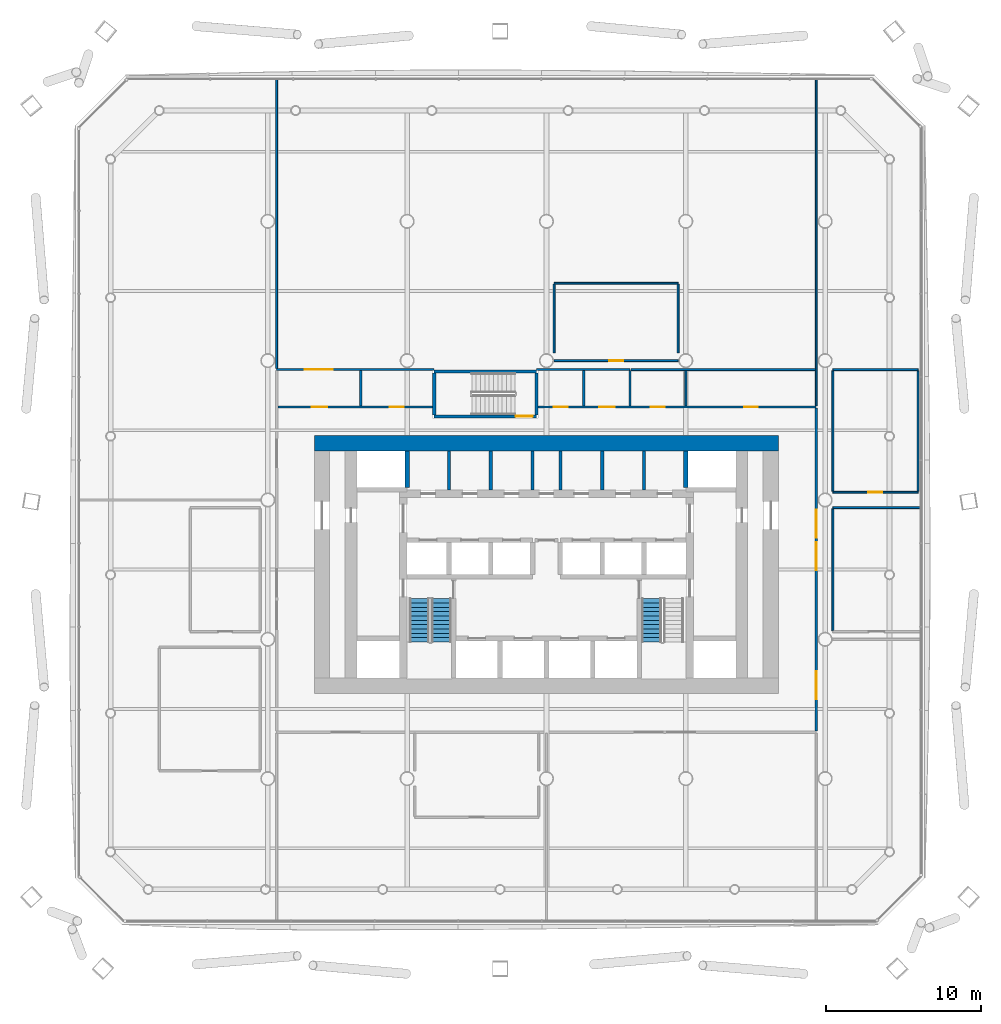
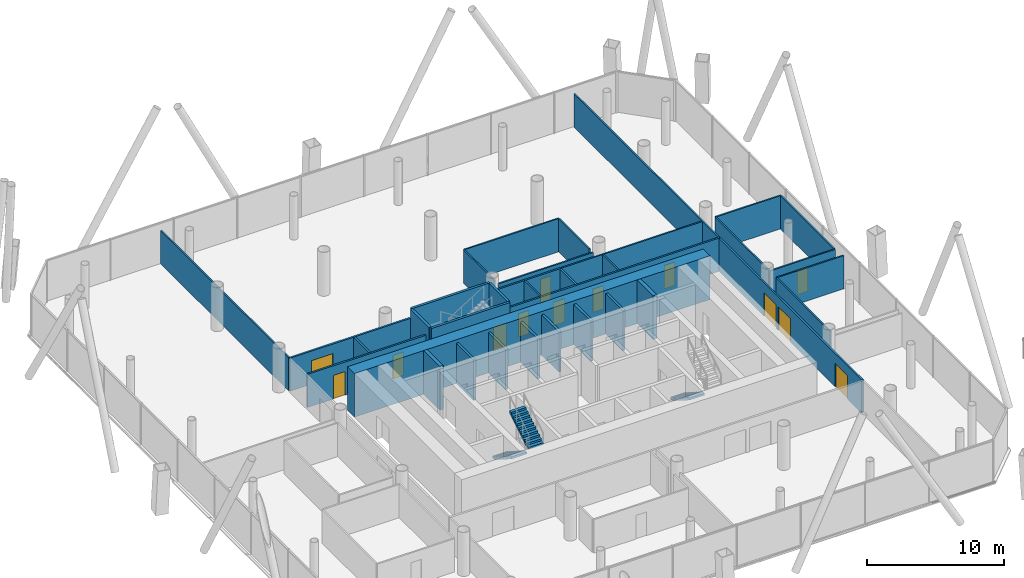
# One storey, part 19 of 25: 35 walls, 13 doors, 3 stair flights, 13 openings, 2 elements without a shape of their own.
"""IFC4 building model written with IfcOpenShell, lengths in metres."""

from ifc_helpers import new_model, si_unit, direction, frame, frame_2d, origin, place, context, subcontext, project, spatial, polyline, rectangle, outline, extrude, material, layer, layer_set, type_object, element, fill, aggregate, save


model = new_model("IFC4")

# Units and contexts
model_context = context("Model", 3, precision=1e-05, world=origin(), true_north=direction((0.0, 1.0)))
body_context = subcontext(model_context, "Body", "Model", "MODEL_VIEW")
ifc_project = project(units=[si_unit("LENGTHUNIT", "METRE"), si_unit("AREAUNIT", "SQUARE_METRE"), si_unit("VOLUMEUNIT", "CUBIC_METRE"), si_unit("PLANEANGLEUNIT", "RADIAN"), si_unit("MASSUNIT", "GRAM", prefix="KILO")], contexts=[model_context])

# Site, building, storey
site_placement = place(None, origin())
site = spatial("IfcSite", under=ifc_project, at=site_placement, CompositionType="ELEMENT")
building_placement = place(site_placement, origin())
building = spatial("IfcBuilding", under=site, at=building_placement, Name="Tskaro Facet Tower", CompositionType="ELEMENT")
storey_placement = place(building_placement, frame((0.0, 0.0, 22.5)))
storey = spatial("IfcBuildingStorey", under=building, at=storey_placement, Name="L04", CompositionType="ELEMENT", Elevation=22.5)

# Walls
ifc_material_1 = material(Name="Concrete C60/75", Category="concrete")
ifc_layer_1 = layer(ifc_material_1, 0.300048828125, Name="Concrete C60/75")
ifc_layer_set_1 = layer_set([ifc_layer_1], Name="Concrete C60/75")
wall_type_1 = type_object("IfcWallType", Name="CORE-SHAFT", PredefinedType="SHEAR", material=ifc_layer_set_1)
for number, where, z_axis, x_axis, name in (
    (1, (-9.0, 0.800048828125, 0.0), (0.0, 0.0, 1.0), (0.0, 1.0, 0.0), "Shaft wall W040"),
    (2, (9.0, 0.800048828125, 0.0), (0.0, 0.0, 1.0), (0.0, 1.0, 0.0), "Shaft wall W070"),
):
    element("IfcWall", number, at=place(storey_placement, frame(where, z_axis=z_axis, x_axis=x_axis)), inside=storey, type_object=wall_type_1, Name=name, PredefinedType="SHEAR", context=body_context, shape_type="SweptSolid", body=[
        extrude(rectangle(XDim=2.349853515625, YDim=0.300048828125, at=frame_2d((1.1748046875, 0.0))), origin(), (0.0, 0.0, 1.0), 3.89990234375),
    ])
ifc_material_2 = material(Name="Concrete C20/25", Category="concrete")
ifc_layer_2 = layer(ifc_material_2, 0.199951171875, Name="Concrete C20/25")
ifc_layer_set_2 = layer_set([ifc_layer_2], Name="Concrete C20/25")
wall_type_2 = type_object("IfcWallType", Name="CORE-WALL", PredefinedType="SOLIDWALL", material=ifc_layer_set_2)
for number, where, z_axis, x_axis, name in (
    (3, (-6.300048828125, 0.64990234375, 0.0), (0.0, 0.0, 1.0), (0.0, 1.0, 0.0), "Core room wall W045"),
    (4, (-3.60009765625, 0.64990234375, 0.0), (0.0, 0.0, 1.0), (0.0, 1.0, 0.0), "Core room wall W048"),
    (5, (-0.89990234375, 0.64990234375, 0.0), (0.0, 0.0, 1.0), (0.0, 1.0, 0.0), "Core room wall W051"),
    (6, (0.89990234375, 0.64990234375, 0.0), (0.0, 0.0, 1.0), (0.0, 1.0, 0.0), "Core room wall W060"),
    (7, (3.60009765625, 0.64990234375, 0.0), (0.0, 0.0, 1.0), (0.0, 1.0, 0.0), "Core room wall W064"),
    (8, (6.300048828125, 0.64990234375, 0.0), (0.0, 0.0, 1.0), (0.0, 1.0, 0.0), "Core room wall W068"),
):
    element("IfcWall", number, at=place(storey_placement, frame(where, z_axis=z_axis, x_axis=x_axis)), inside=storey, type_object=wall_type_2, Name=name, PredefinedType="SOLIDWALL", context=body_context, shape_type="SweptSolid", body=[
        extrude(rectangle(XDim=2.5, YDim=0.199951171875, at=frame_2d((1.25, 0.0))), origin(), (0.0, 0.0, 1.0), 3.60009765625),
    ])
ifc_layer_3 = layer(ifc_material_1, 1.0, Name="Concrete C60/75")
ifc_layer_set_3 = layer_set([ifc_layer_3], Name="Concrete C60/75")
wall_type_3 = type_object("IfcWallType", Name="Core wall 1000", PredefinedType="SHEAR", material=ifc_layer_set_3)
wall_1_placement = place(storey_placement, frame((-15.0, 3.64990234375, 0.0), z_axis=(0.0, 0.0, 1.0), x_axis=(1.0, 0.0, 0.0)))
element("IfcWall", 9, at=wall_1_placement, inside=storey, type_object=wall_type_3, Name="Core wall CW-Z1N", PredefinedType="SHEAR", context=body_context, shape_type="SweptSolid", body=[
    extrude(rectangle(XDim=30.0, YDim=1.0, at=frame_2d((15.0, 0.0))), origin(), (0.0, 0.0, 1.0), 3.89990234375),
])
ifc_material_3 = material(Name="Gypsum board on steel studs", Category="steel")
ifc_layer_4 = layer(ifc_material_3, 0.125, Name="Gypsum board on steel studs")
ifc_layer_set_4 = layer_set([ifc_layer_4], Name="Gypsum board on steel studs")
wall_type_4 = type_object("IfcWallType", Name="PART", PredefinedType="PARTITIONING", material=ifc_layer_set_4)
wall_2_placement = place(storey_placement, frame((18.5, -0.5, 0.0), z_axis=(0.0, 0.0, 1.0), x_axis=(1.0, 0.0, 0.0)))
element("IfcWall", 10, at=wall_2_placement, inside=storey, type_object=wall_type_4, Name="Partition W017", PredefinedType="PARTITIONING", context=body_context, shape_type="SweptSolid", body=[
    extrude(rectangle(XDim=5.652099609375, YDim=0.125, at=frame_2d((2.826171875, 0.0))), origin(), (0.0, 0.0, 1.0), 2.9599609375),
])

# Wall, opening, door
wall_3_placement = place(storey_placement, frame((18.5, 0.5, 0.0), z_axis=(0.0, 0.0, 1.0), x_axis=(1.0, 0.0, 0.0)))
wall_3 = element("IfcWall", 11, at=wall_3_placement, inside=storey, type_object=wall_type_4, Name="Partition W019", PredefinedType="PARTITIONING", context=body_context, shape_type="SweptSolid", body=[
    extrude(rectangle(XDim=5.5, YDim=0.125, at=frame_2d((2.75, 0.0))), origin(), (0.0, 0.0, 1.0), 2.9599609375),
])
opening_1_placement = place(wall_3_placement, frame((2.300048828125, 0.0, 0.0)))
opening_1 = element("IfcOpeningElement", 12, at=opening_1_placement, cuts=wall_3, Name="Opening T1-D28", PredefinedType="OPENING", context=body_context, shape_type="SweptSolid", body=[
    extrude(rectangle(XDim=0.89990234375, YDim=2.10009765625, at=frame_2d((0.449951171875, 1.050048828125))), frame((0.0, 0.072509765625, 0.0), z_axis=(0.0, -1.0, 0.0), x_axis=(1.0, 0.0, 0.0)), (0.0, 0.0, 1.0), 0.14501953125),
])
ifc_material_4 = material(Name="Timber", Category="wood")
door_type_1 = type_object("IfcDoorType", Name="D-ROOM", OperationType="NOTDEFINED", PredefinedType="DOOR", material=ifc_material_4)
door_1_placement = place(opening_1_placement, origin())
door_1 = element("IfcDoor", 13, at=door_1_placement, inside=storey, type_object=door_type_1, Name="Door T1-D28", OperationType="SINGLE_SWING_LEFT", OverallHeight=2.10009765625, OverallWidth=0.89990234375, PredefinedType="DOOR", context=body_context, shape_type="SweptSolid", body=[
    extrude(rectangle(XDim=0.89990234375, YDim=2.10009765625, at=frame_2d((0.449951171875, 1.050048828125))), frame((0.0, 0.02490234375, 0.0), z_axis=(0.0, -1.0, 0.0), x_axis=(1.0, 0.0, 0.0)), (0.0, 0.0, 1.0), 0.050048828125),
])
fill(opening_1, door_1)

# Walls
wall_4_placement = place(storey_placement, frame((5.47509765625, 8.425048828125, 0.0), z_axis=(0.0, 0.0, 1.0), x_axis=(1.0, 0.0, 0.0)))
element("IfcWall", 14, at=wall_4_placement, inside=storey, type_object=wall_type_4, Name="Partition W028", PredefinedType="PARTITIONING", context=body_context, shape_type="SweptSolid", body=[
    extrude(rectangle(XDim=11.887451171875, YDim=0.125, at=frame_2d((5.94384765625, 0.0))), origin(), (0.0, 0.0, 1.0), 2.9599609375),
])
wall_5_placement = place(storey_placement, frame((18.5, 8.425048828125, 0.0), z_axis=(0.0, 0.0, 1.0), x_axis=(1.0, 0.0, 0.0)))
element("IfcWall", 15, at=wall_5_placement, inside=storey, type_object=wall_type_4, Name="Partition W029", PredefinedType="PARTITIONING", context=body_context, shape_type="SweptSolid", body=[
    extrude(rectangle(XDim=5.5, YDim=0.125, at=frame_2d((2.75, 0.0))), origin(), (0.0, 0.0, 1.0), 2.9599609375),
])

# Wall, opening, door
wall_6_placement = place(storey_placement, frame((0.5, 9.0, 0.0), z_axis=(0.0, 0.0, 1.0), x_axis=(1.0, 0.0, 0.0)))
wall_6 = element("IfcWall", 16, at=wall_6_placement, inside=storey, type_object=wall_type_4, Name="Partition W030", PredefinedType="PARTITIONING", context=body_context, shape_type="SweptSolid", body=[
    extrude(rectangle(XDim=8.0, YDim=0.125, at=frame_2d((4.0, 0.0))), origin(), (0.0, 0.0, 1.0), 2.9599609375),
])
opening_2_placement = place(wall_6_placement, frame((3.550048828125, 0.0, 0.0)))
opening_2 = element("IfcOpeningElement", 17, at=opening_2_placement, cuts=wall_6, Name="Opening T1-D39", PredefinedType="OPENING", context=body_context, shape_type="SweptSolid", body=[
    extrude(rectangle(XDim=0.89990234375, YDim=2.10009765625, at=frame_2d((0.449951171875, 1.050048828125))), frame((0.0, 0.072509765625, 0.0), z_axis=(0.0, -1.0, 0.0), x_axis=(1.0, 0.0, 0.0)), (0.0, 0.0, 1.0), 0.14501953125),
])
door_2_placement = place(opening_2_placement, origin())
door_2 = element("IfcDoor", 18, at=door_2_placement, inside=storey, type_object=door_type_1, Name="Door T1-D39", OperationType="SINGLE_SWING_LEFT", OverallHeight=2.10009765625, OverallWidth=0.89990234375, PredefinedType="DOOR", context=body_context, shape_type="SweptSolid", body=[
    extrude(rectangle(XDim=0.89990234375, YDim=2.10009765625, at=frame_2d((0.449951171875, 1.050048828125))), frame((0.0, 0.02490234375, 0.0), z_axis=(0.0, -1.0, 0.0), x_axis=(1.0, 0.0, 0.0)), (0.0, 0.0, 1.0), 0.050048828125),
])
fill(opening_2, door_2)

# Walls
wall_7_placement = place(storey_placement, frame((0.5, 14.0, 0.0), z_axis=(0.0, 0.0, 1.0), x_axis=(1.0, 0.0, 0.0)))
element("IfcWall", 19, at=wall_7_placement, inside=storey, type_object=wall_type_4, Name="Partition W031", PredefinedType="PARTITIONING", context=body_context, shape_type="SweptSolid", body=[
    extrude(rectangle(XDim=8.0, YDim=0.125, at=frame_2d((4.0, 0.0))), origin(), (0.0, 0.0, 1.0), 2.9599609375),
])
wall_8_placement = place(storey_placement, frame((-17.425048828125, 8.5, 0.0), z_axis=(0.0, 0.0, 1.0), x_axis=(0.0, 1.0, 0.0)))
element("IfcWall", 20, at=wall_8_placement, inside=storey, type_object=wall_type_4, Name="Partition W038", PredefinedType="PARTITIONING", context=body_context, shape_type="SweptSolid", body=[
    extrude(rectangle(XDim=18.652099609375, YDim=0.125, at=frame_2d((9.326171875, 0.0))), origin(), (0.0, 0.0, 1.0), 2.9599609375),
])
for number, where, z_axis, x_axis, name in (
    (21, (0.5, 9.5, 0.0), (0.0, 0.0, 1.0), (0.0, 1.0, 0.0), "Partition W058"),
    (22, (8.5, 9.5, 0.0), (0.0, 0.0, 1.0), (0.0, 1.0, 0.0), "Partition W069"),
):
    element("IfcWall", number, at=place(storey_placement, frame(where, z_axis=z_axis, x_axis=x_axis)), inside=storey, type_object=wall_type_4, Name=name, PredefinedType="PARTITIONING", context=body_context, shape_type="SweptSolid", body=[
        extrude(rectangle(XDim=4.4375, YDim=0.125, at=frame_2d((2.21875, 0.0))), origin(), (0.0, 0.0, 1.0), 2.9599609375),
    ])
wall_9_placement = place(storey_placement, frame((9.0, 6.074951171875, 0.0), z_axis=(0.0, 0.0, 1.0), x_axis=(0.0, 1.0, 0.0)))
element("IfcWall", 23, at=wall_9_placement, inside=storey, type_object=wall_type_4, Name="Partition W071", PredefinedType="PARTITIONING", context=body_context, shape_type="SweptSolid", body=[
    extrude(rectangle(XDim=2.28759765625, YDim=0.125, at=frame_2d((1.143798828125, 0.0))), origin(), (0.0, 0.0, 1.0), 2.9599609375),
])
wall_10_placement = place(storey_placement, frame((17.425048828125, 6.074951171875, 0.0), z_axis=(0.0, 0.0, 1.0), x_axis=(0.0, 1.0, 0.0)))
element("IfcWall", 24, at=wall_10_placement, inside=storey, type_object=wall_type_4, Name="Partition W074", PredefinedType="PARTITIONING", context=body_context, shape_type="SweptSolid", body=[
    extrude(rectangle(XDim=21.0771484375, YDim=0.125, at=frame_2d((10.53857421875, 0.0))), origin(), (0.0, 0.0, 1.0), 2.9599609375),
])
wall_11_placement = place(storey_placement, frame((18.5, -8.4375, 0.0), z_axis=(0.0, 0.0, 1.0), x_axis=(0.0, 1.0, 0.0)))
element("IfcWall", 25, at=wall_11_placement, inside=storey, type_object=wall_type_4, Name="Partition W075", PredefinedType="PARTITIONING", context=body_context, shape_type="SweptSolid", body=[
    extrude(rectangle(XDim=7.875, YDim=0.125, at=frame_2d((3.9375, 0.0))), origin(), (0.0, 0.0, 1.0), 2.9599609375),
])
for number, where, z_axis, x_axis, name in (
    (26, (18.5, 0.5625, 0.0), (0.0, 0.0, 1.0), (0.0, 1.0, 0.0), "Partition W076"),
    (27, (24.0, 0.5625, 0.0), (0.0, 0.0, 1.0), (0.0, 1.0, 0.0), "Partition W077"),
):
    element("IfcWall", number, at=place(storey_placement, frame(where, z_axis=z_axis, x_axis=x_axis)), inside=storey, type_object=wall_type_4, Name=name, PredefinedType="PARTITIONING", context=body_context, shape_type="SweptSolid", body=[
        extrude(rectangle(XDim=7.800048828125, YDim=0.125, at=frame_2d((3.89990234375, 0.0))), origin(), (0.0, 0.0, 1.0), 2.9599609375),
    ])

# Wall, openings, doors
ifc_layer_5 = layer(ifc_material_3, 0.14990234375, Name="Gypsum board on steel studs")
ifc_layer_set_5 = layer_set([ifc_layer_5], Name="Gypsum board on steel studs")
wall_type_5 = type_object("IfcWallType", Name="PART-CORR", PredefinedType="PARTITIONING", material=ifc_layer_set_5)
wall_12_placement = place(storey_placement, frame((-7.35009765625, 6.0, 0.0), z_axis=(0.0, 0.0, 1.0), x_axis=(-1.0, 0.0, 0.0)))
wall_12 = element("IfcWall", 28, at=wall_12_placement, inside=storey, type_object=wall_type_5, Name="Corridor wall W023", PredefinedType="PARTITIONING", context=body_context, shape_type="SweptSolid", body=[
    extrude(rectangle(XDim=10.0, YDim=0.14990234375, at=frame_2d((5.0, 0.0))), origin(), (0.0, 0.0, 1.0), 2.9599609375),
])
opening_3_placement = place(wall_12_placement, frame((6.824951171875, 0.0, 0.0)))
opening_3 = element("IfcOpeningElement", 29, at=opening_3_placement, cuts=wall_12, Name="Opening T1-D32", PredefinedType="OPENING", context=body_context, shape_type="SweptSolid", body=[
    extrude(rectangle(XDim=1.0, YDim=2.10009765625, at=frame_2d((0.5, 1.050048828125))), frame((0.0, 0.0849609375, 0.0), z_axis=(0.0, -1.0, 0.0), x_axis=(1.0, 0.0, 0.0)), (0.0, 0.0, 1.0), 0.169921875),
])
opening_4_placement = place(wall_12_placement, frame((1.875, 0.0, 0.0)))
opening_4 = element("IfcOpeningElement", 30, at=opening_4_placement, cuts=wall_12, Name="Opening T1-D33", PredefinedType="OPENING", context=body_context, shape_type="SweptSolid", body=[
    extrude(rectangle(XDim=0.89990234375, YDim=2.10009765625, at=frame_2d((0.449951171875, 1.050048828125))), frame((0.0, 0.0849609375, 0.0), z_axis=(0.0, -1.0, 0.0), x_axis=(1.0, 0.0, 0.0)), (0.0, 0.0, 1.0), 0.169921875),
])
door_type_2 = type_object("IfcDoorType", Name="D-ENTRY", OperationType="NOTDEFINED", PredefinedType="DOOR", material=ifc_material_4)
door_3_placement = place(opening_3_placement, origin())
door_3 = element("IfcDoor", 31, at=door_3_placement, inside=storey, type_object=door_type_2, Name="Door T1-D32", OperationType="SINGLE_SWING_RIGHT", OverallHeight=2.10009765625, OverallWidth=1.0, PredefinedType="DOOR", context=body_context, shape_type="SweptSolid", body=[
    extrude(rectangle(XDim=1.0, YDim=2.10009765625, at=frame_2d((0.5, 1.050048828125))), frame((0.0, 0.02490234375, 0.0), z_axis=(0.0, -1.0, 0.0), x_axis=(1.0, 0.0, 0.0)), (0.0, 0.0, 1.0), 0.050048828125),
])
fill(opening_3, door_3)
door_4_placement = place(opening_4_placement, origin())
door_4 = element("IfcDoor", 32, at=door_4_placement, inside=storey, type_object=door_type_1, Name="Door T1-D33", OperationType="SINGLE_SWING_RIGHT", OverallHeight=2.10009765625, OverallWidth=0.89990234375, PredefinedType="DOOR", context=body_context, shape_type="SweptSolid", body=[
    extrude(rectangle(XDim=0.89990234375, YDim=2.10009765625, at=frame_2d((0.449951171875, 1.050048828125))), frame((0.0, 0.02490234375, 0.0), z_axis=(0.0, -1.0, 0.0), x_axis=(1.0, 0.0, 0.0)), (0.0, 0.0, 1.0), 0.050048828125),
])
fill(opening_4, door_4)

wall_13_placement = place(storey_placement, frame((-0.550048828125, 6.0, 0.0), z_axis=(0.0, 0.0, 1.0), x_axis=(1.0, 0.0, 0.0)))
wall_13 = element("IfcWall", 33, at=wall_13_placement, inside=storey, type_object=wall_type_5, Name="Corridor wall W024", PredefinedType="PARTITIONING", context=body_context, shape_type="SweptSolid", body=[
    extrude(rectangle(XDim=17.97509765625, YDim=0.14990234375, at=frame_2d((8.987548828125, 0.0))), origin(), (0.0, 0.0, 1.0), 2.9599609375),
])
opening_5_placement = place(wall_13_placement, frame((1.02490234375, 0.0, 0.0)))
opening_5 = element("IfcOpeningElement", 34, at=opening_5_placement, cuts=wall_13, Name="Opening T1-D34", PredefinedType="OPENING", context=body_context, shape_type="SweptSolid", body=[
    extrude(rectangle(XDim=0.89990234375, YDim=2.10009765625, at=frame_2d((0.449951171875, 1.050048828125))), frame((0.0, 0.0849609375, 0.0), z_axis=(0.0, -1.0, 0.0), x_axis=(1.0, 0.0, 0.0)), (0.0, 0.0, 1.0), 0.169921875),
])
opening_6_placement = place(wall_13_placement, frame((3.949951171875, 0.0, 0.0)))
opening_6 = element("IfcOpeningElement", 35, at=opening_6_placement, cuts=wall_13, Name="Opening T1-D35", PredefinedType="OPENING", context=body_context, shape_type="SweptSolid", body=[
    extrude(rectangle(XDim=1.0, YDim=2.10009765625, at=frame_2d((0.5, 1.050048828125))), frame((0.0, 0.0849609375, 0.0), z_axis=(0.0, -1.0, 0.0), x_axis=(1.0, 0.0, 0.0)), (0.0, 0.0, 1.0), 0.169921875),
])
opening_7_placement = place(wall_13_placement, frame((7.300048828125, 0.0, 0.0)))
opening_7 = element("IfcOpeningElement", 36, at=opening_7_placement, cuts=wall_13, Name="Opening T1-D36", PredefinedType="OPENING", context=body_context, shape_type="SweptSolid", body=[
    extrude(rectangle(XDim=0.89990234375, YDim=2.10009765625, at=frame_2d((0.449951171875, 1.050048828125))), frame((0.0, 0.0849609375, 0.0), z_axis=(0.0, -1.0, 0.0), x_axis=(1.0, 0.0, 0.0)), (0.0, 0.0, 1.0), 0.169921875),
])
opening_8_placement = place(wall_13_placement, frame((13.3125, 0.0, 0.0)))
opening_8 = element("IfcOpeningElement", 37, at=opening_8_placement, cuts=wall_13, Name="Opening T1-D37", PredefinedType="OPENING", context=body_context, shape_type="SweptSolid", body=[
    extrude(rectangle(XDim=0.89990234375, YDim=2.10009765625, at=frame_2d((0.449951171875, 1.050048828125))), frame((0.0, 0.0849609375, 0.0), z_axis=(0.0, -1.0, 0.0), x_axis=(1.0, 0.0, 0.0)), (0.0, 0.0, 1.0), 0.169921875),
])
door_5_placement = place(opening_5_placement, origin())
door_5 = element("IfcDoor", 38, at=door_5_placement, inside=storey, type_object=door_type_1, Name="Door T1-D34", OperationType="SINGLE_SWING_LEFT", OverallHeight=2.10009765625, OverallWidth=0.89990234375, PredefinedType="DOOR", context=body_context, shape_type="SweptSolid", body=[
    extrude(rectangle(XDim=0.89990234375, YDim=2.10009765625, at=frame_2d((0.449951171875, 1.050048828125))), frame((0.0, 0.02490234375, 0.0), z_axis=(0.0, -1.0, 0.0), x_axis=(1.0, 0.0, 0.0)), (0.0, 0.0, 1.0), 0.050048828125),
])
fill(opening_5, door_5)
door_6_placement = place(opening_7_placement, origin())
door_6 = element("IfcDoor", 39, at=door_6_placement, inside=storey, type_object=door_type_1, Name="Door T1-D36", OperationType="SINGLE_SWING_LEFT", OverallHeight=2.10009765625, OverallWidth=0.89990234375, PredefinedType="DOOR", context=body_context, shape_type="SweptSolid", body=[
    extrude(rectangle(XDim=0.89990234375, YDim=2.10009765625, at=frame_2d((0.449951171875, 1.050048828125))), frame((0.0, 0.02490234375, 0.0), z_axis=(0.0, -1.0, 0.0), x_axis=(1.0, 0.0, 0.0)), (0.0, 0.0, 1.0), 0.050048828125),
])
fill(opening_7, door_6)
door_7_placement = place(opening_8_placement, origin())
door_7 = element("IfcDoor", 40, at=door_7_placement, inside=storey, type_object=door_type_1, Name="Door T1-D37", OperationType="SINGLE_SWING_LEFT", OverallHeight=2.10009765625, OverallWidth=0.89990234375, PredefinedType="DOOR", context=body_context, shape_type="SweptSolid", body=[
    extrude(rectangle(XDim=0.89990234375, YDim=2.10009765625, at=frame_2d((0.449951171875, 1.050048828125))), frame((0.0, 0.02490234375, 0.0), z_axis=(0.0, -1.0, 0.0), x_axis=(1.0, 0.0, 0.0)), (0.0, 0.0, 1.0), 0.050048828125),
])
fill(opening_8, door_7)
door_type_3 = type_object("IfcDoorType", Name="D-ROOM-WIDE", OperationType="NOTDEFINED", PredefinedType="DOOR", material=ifc_material_4)
door_8_placement = place(opening_6_placement, origin())
door_8 = element("IfcDoor", 41, at=door_8_placement, inside=storey, type_object=door_type_3, Name="Door T1-D35", OperationType="SINGLE_SWING_LEFT", OverallHeight=2.10009765625, OverallWidth=1.0, PredefinedType="DOOR", context=body_context, shape_type="SweptSolid", body=[
    extrude(rectangle(XDim=1.0, YDim=2.10009765625, at=frame_2d((0.5, 1.050048828125))), frame((0.0, 0.02490234375, 0.0), z_axis=(0.0, -1.0, 0.0), x_axis=(1.0, 0.0, 0.0)), (0.0, 0.0, 1.0), 0.050048828125),
])
fill(opening_6, door_8)

# Wall, opening, door
wall_14_placement = place(storey_placement, frame((-17.425048828125, 8.425048828125, 0.0), z_axis=(0.0, 0.0, 1.0), x_axis=(1.0, 0.0, 0.0)))
wall_14 = element("IfcWall", 42, at=wall_14_placement, inside=storey, type_object=wall_type_5, Name="Corridor wall W026", PredefinedType="PARTITIONING", context=body_context, shape_type="SweptSolid", body=[
    extrude(rectangle(XDim=10.175048828125, YDim=0.14990234375, at=frame_2d((5.08740234375, 0.0))), origin(), (0.0, 0.0, 1.0), 2.9599609375),
])
opening_9_placement = place(wall_14_placement, frame((1.8125, 0.0, 0.0)))
opening_9 = element("IfcOpeningElement", 43, at=opening_9_placement, cuts=wall_14, Name="Opening T1-D38", PredefinedType="OPENING", context=body_context, shape_type="SweptSolid", body=[
    extrude(rectangle(XDim=1.800048828125, YDim=2.10009765625, at=frame_2d((0.89990234375, 1.050048828125))), frame((0.0, 0.0849609375, 0.0), z_axis=(0.0, -1.0, 0.0), x_axis=(1.0, 0.0, 0.0)), (0.0, 0.0, 1.0), 0.169921875),
])
ifc_material_5 = material(Name="Glass", Category="glass")
door_type_4 = type_object("IfcDoorType", Name="D-ENTRY-PAIR", OperationType="NOTDEFINED", PredefinedType="DOOR", material=ifc_material_5)
door_9_placement = place(opening_9_placement, origin())
door_9 = element("IfcDoor", 44, at=door_9_placement, inside=storey, type_object=door_type_4, Name="Door T1-D38", OperationType="DOUBLE_DOOR_SINGLE_SWING", OverallHeight=2.10009765625, OverallWidth=1.800048828125, PredefinedType="DOOR", context=body_context, shape_type="SweptSolid", body=[
    extrude(rectangle(XDim=1.800048828125, YDim=2.10009765625, at=frame_2d((0.89990234375, 1.050048828125))), frame((0.0, 0.02490234375, 0.0), z_axis=(0.0, -1.0, 0.0), x_axis=(1.0, 0.0, 0.0)), (0.0, 0.0, 1.0), 0.050048828125),
])
fill(opening_9, door_9)

# Walls
wall_15_placement = place(storey_placement, frame((-0.64990234375, 8.425048828125, 0.0), z_axis=(0.0, 0.0, 1.0), x_axis=(1.0, 0.0, 0.0)))
element("IfcWall", 45, at=wall_15_placement, inside=storey, type_object=wall_type_5, Name="Corridor wall W027", PredefinedType="PARTITIONING", context=body_context, shape_type="SweptSolid", body=[
    extrude(rectangle(XDim=6.0498046875, YDim=0.14990234375, at=frame_2d((3.02490234375, 0.0))), origin(), (0.0, 0.0, 1.0), 2.9599609375),
])
for number, where, z_axis, x_axis, name in (
    (46, (-12.0, 6.074951171875, 0.0), (0.0, 0.0, 1.0), (0.0, 1.0, 0.0), "Corridor wall W039"),
    (47, (2.39990234375, 6.074951171875, 0.0), (0.0, 0.0, 1.0), (0.0, 1.0, 0.0), "Corridor wall W061"),
    (48, (5.39990234375, 6.074951171875, 0.0), (0.0, 0.0, 1.0), (0.0, 1.0, 0.0), "Corridor wall W065"),
):
    element("IfcWall", number, at=place(storey_placement, frame(where, z_axis=z_axis, x_axis=x_axis)), inside=storey, type_object=wall_type_5, Name=name, PredefinedType="PARTITIONING", context=body_context, shape_type="SweptSolid", body=[
        extrude(rectangle(XDim=2.275146484375, YDim=0.14990234375, at=frame_2d((1.1376953125, 0.0))), origin(), (0.0, 0.0, 1.0), 2.9599609375),
    ])

# Wall, openings, doors
wall_16_placement = place(storey_placement, frame((17.425048828125, -14.925048828125, 0.0), z_axis=(0.0, 0.0, 1.0), x_axis=(0.0, 1.0, 0.0)))
wall_16 = element("IfcWall", 49, at=wall_16_placement, inside=storey, type_object=wall_type_5, Name="Corridor wall W073", PredefinedType="PARTITIONING", context=body_context, shape_type="SweptSolid", body=[
    extrude(rectangle(XDim=20.85009765625, YDim=0.14990234375, at=frame_2d((10.425048828125, 0.0))), origin(), (0.0, 0.0, 1.0), 2.9599609375),
])
opening_10_placement = place(wall_16_placement, frame((2.0625, 0.0, 0.0)))
opening_10 = element("IfcOpeningElement", 50, at=opening_10_placement, cuts=wall_16, Name="Opening T1-D06", PredefinedType="OPENING", context=body_context, shape_type="SweptSolid", body=[
    extrude(rectangle(XDim=1.800048828125, YDim=2.10009765625, at=frame_2d((0.89990234375, 1.050048828125))), frame((0.0, 0.0849609375, 0.0), z_axis=(0.0, -1.0, 0.0), x_axis=(1.0, 0.0, 0.0)), (0.0, 0.0, 1.0), 0.169921875),
])
opening_11_placement = place(wall_16_placement, frame((12.487548828125, 0.0, 0.0)))
opening_11 = element("IfcOpeningElement", 51, at=opening_11_placement, cuts=wall_16, Name="Opening T1-D14", PredefinedType="OPENING", context=body_context, shape_type="SweptSolid", body=[
    extrude(rectangle(XDim=1.800048828125, YDim=2.10009765625, at=frame_2d((0.89990234375, 1.050048828125))), frame((0.0, 0.0849609375, 0.0), z_axis=(0.0, -1.0, 0.0), x_axis=(1.0, 0.0, 0.0)), (0.0, 0.0, 1.0), 0.169921875),
])
opening_12_placement = place(wall_16_placement, frame((10.387451171875, 0.0, 0.0)))
opening_12 = element("IfcOpeningElement", 52, at=opening_12_placement, cuts=wall_16, Name="Opening T1-D13", PredefinedType="OPENING", context=body_context, shape_type="SweptSolid", body=[
    extrude(rectangle(XDim=1.800048828125, YDim=2.10009765625, at=frame_2d((0.89990234375, 1.050048828125))), frame((0.0, 0.0849609375, 0.0), z_axis=(0.0, -1.0, 0.0), x_axis=(1.0, 0.0, 0.0)), (0.0, 0.0, 1.0), 0.169921875),
])
door_10_placement = place(opening_10_placement, origin())
door_10 = element("IfcDoor", 53, at=door_10_placement, inside=storey, type_object=door_type_4, Name="Door T1-D06", OperationType="DOUBLE_DOOR_SINGLE_SWING", OverallHeight=2.10009765625, OverallWidth=1.800048828125, PredefinedType="DOOR", context=body_context, shape_type="SweptSolid", body=[
    extrude(rectangle(XDim=1.800048828125, YDim=2.10009765625, at=frame_2d((0.89990234375, 1.050048828125))), frame((0.0, 0.02490234375, 0.0), z_axis=(0.0, -1.0, 0.0), x_axis=(1.0, 0.0, 0.0)), (0.0, 0.0, 1.0), 0.050048828125),
])
fill(opening_10, door_10)
door_11_placement = place(opening_11_placement, origin())
door_11 = element("IfcDoor", 54, at=door_11_placement, inside=storey, type_object=door_type_4, Name="Door T1-D14", OperationType="DOUBLE_DOOR_SINGLE_SWING", OverallHeight=2.10009765625, OverallWidth=1.800048828125, PredefinedType="DOOR", context=body_context, shape_type="SweptSolid", body=[
    extrude(rectangle(XDim=1.800048828125, YDim=2.10009765625, at=frame_2d((0.89990234375, 1.050048828125))), frame((0.0, 0.02490234375, 0.0), z_axis=(0.0, -1.0, 0.0), x_axis=(1.0, 0.0, 0.0)), (0.0, 0.0, 1.0), 0.050048828125),
])
fill(opening_11, door_11)
door_12_placement = place(opening_12_placement, origin())
door_12 = element("IfcDoor", 55, at=door_12_placement, inside=storey, type_object=door_type_4, Name="Door T1-D13", OperationType="DOUBLE_DOOR_SINGLE_SWING", OverallHeight=2.10009765625, OverallWidth=1.800048828125, PredefinedType="DOOR", context=body_context, shape_type="SweptSolid", body=[
    extrude(rectangle(XDim=1.800048828125, YDim=2.10009765625, at=frame_2d((0.89990234375, 1.050048828125))), frame((0.0, 0.02490234375, 0.0), z_axis=(0.0, -1.0, 0.0), x_axis=(1.0, 0.0, 0.0)), (0.0, 0.0, 1.0), 0.050048828125),
])
fill(opening_12, door_12)

# Wall, opening, door
ifc_layer_6 = layer(ifc_material_1, 0.199951171875, Name="Concrete C60/75")
ifc_layer_set_6 = layer_set([ifc_layer_6], Name="Concrete C60/75")
wall_type_6 = type_object("IfcWallType", Name="STAIR-WALL", PredefinedType="SHEAR", material=ifc_layer_set_6)
wall_17_placement = place(storey_placement, frame((-7.25, 5.39990234375, 0.0), z_axis=(0.0, 0.0, 1.0), x_axis=(1.0, 0.0, 0.0)))
wall_17 = element("IfcWall", 56, at=wall_17_placement, inside=storey, type_object=wall_type_6, Name="Stair wall W022", PredefinedType="SHEAR", context=body_context, shape_type="SweptSolid", body=[
    extrude(rectangle(XDim=6.60009765625, YDim=0.199951171875, at=frame_2d((3.300048828125, 0.0))), origin(), (0.0, 0.0, 1.0), 3.89990234375),
])
opening_13_placement = place(wall_17_placement, frame((5.25, 0.0, 0.0)))
opening_13 = element("IfcOpeningElement", 57, at=opening_13_placement, cuts=wall_17, Name="Opening ST-3-D1", PredefinedType="OPENING", context=body_context, shape_type="SweptSolid", body=[
    extrude(rectangle(XDim=1.10009765625, YDim=2.10009765625, at=frame_2d((0.550048828125, 1.050048828125))), frame((0.0, 0.10986328125, 0.0), z_axis=(0.0, -1.0, 0.0), x_axis=(1.0, 0.0, 0.0)), (0.0, 0.0, 1.0), 0.219970703125),
])
ifc_material_6 = material(Name="Steel", Category="steel")
door_type_5 = type_object("IfcDoorType", Name="D-STAIR", OperationType="NOTDEFINED", PredefinedType="DOOR", material=ifc_material_6)
door_13_placement = place(opening_13_placement, origin())
door_13 = element("IfcDoor", 58, at=door_13_placement, inside=storey, type_object=door_type_5, Name="Stair door 3", OperationType="SINGLE_SWING_LEFT", OverallHeight=2.10009765625, OverallWidth=1.10009765625, PredefinedType="DOOR", context=body_context, shape_type="SweptSolid", body=[
    extrude(rectangle(XDim=1.10009765625, YDim=2.10009765625, at=frame_2d((0.550048828125, 1.050048828125))), frame((0.0, 0.02490234375, 0.0), z_axis=(0.0, -1.0, 0.0), x_axis=(1.0, 0.0, 0.0)), (0.0, 0.0, 1.0), 0.050048828125),
])
fill(opening_13, door_13)

# Walls
wall_18_placement = place(storey_placement, frame((-7.25, 8.300048828125, 0.0), z_axis=(0.0, 0.0, 1.0), x_axis=(1.0, 0.0, 0.0)))
element("IfcWall", 59, at=wall_18_placement, inside=storey, type_object=wall_type_6, Name="Stair wall W025", PredefinedType="SHEAR", context=body_context, shape_type="SweptSolid", body=[
    extrude(rectangle(XDim=6.60009765625, YDim=0.199951171875, at=frame_2d((3.300048828125, 0.0))), origin(), (0.0, 0.0, 1.0), 3.89990234375),
])
for number, where, z_axis, x_axis, name in (
    (60, (-7.25, 5.5, 0.0), (0.0, 0.0, 1.0), (0.0, 1.0, 0.0), "Stair wall W043"),
    (61, (-0.64990234375, 5.5, 0.0), (0.0, 0.0, 1.0), (0.0, 1.0, 0.0), "Stair wall W052"),
):
    element("IfcWall", number, at=place(storey_placement, frame(where, z_axis=z_axis, x_axis=x_axis)), inside=storey, type_object=wall_type_6, Name=name, PredefinedType="SHEAR", context=body_context, shape_type="SweptSolid", body=[
        extrude(rectangle(XDim=2.699951171875, YDim=0.199951171875, at=frame_2d((1.35009765625, 0.0))), origin(), (0.0, 0.0, 1.0), 3.89990234375),
    ])

# Stair, stair flights
ifc_material_7 = material(Name="Concrete C40/50", Category="concrete")
stair_type = type_object("IfcStairType", Name="ST-TWR", PredefinedType="HALF_TURN_STAIR", material=ifc_material_7)
stair_1_placement = place(storey_placement, origin())
stair_1 = element("IfcStair", 62, at=stair_1_placement, inside=storey, type_object=stair_type, Name="L04 Exit stair 1", PredefinedType="HALF_TURN_STAIR")
stair_flight_type = type_object("IfcStairFlightType", Name="SFL-RC", PredefinedType="STRAIGHT", material=ifc_material_7)
stair_flight_1_placement = place(storey_placement, frame((-8.21240234375, -6.375, 0.0), z_axis=(0.0, 0.0, 1.0), x_axis=(0.0, -1.0, 0.0)))
stair_flight_1 = element("IfcStairFlight", 63, at=stair_flight_1_placement, type_object=stair_flight_type, Name="ST-1 flight 1", NumberOfRisers=11, NumberOfTreads=10, PredefinedType="STRAIGHT", RiserHeight=0.177272727, TreadLength=0.28, context=body_context, shape_type="SweptSolid", body=[
    extrude(outline(polyline([(0.0, 0.0), (0.0, 0.17724609375), (0.280029296875, 0.17724609375), (0.280029296875, 0.3544921875), (0.56005859375, 0.3544921875), (0.56005859375, 0.53173828125), (0.840087890625, 0.53173828125), (0.840087890625, 0.708984375), (1.1201171875, 0.708984375), (1.1201171875, 0.886474609375), (1.39990234375, 0.886474609375), (1.39990234375, 1.063720703125), (1.679931640625, 1.063720703125), (1.679931640625, 1.240966796875), (1.9599609375, 1.240966796875), (1.9599609375, 1.418212890625), (2.239990234375, 1.418212890625), (2.239990234375, 1.595458984375), (2.52001953125, 1.595458984375), (2.52001953125, 1.772705078125), (2.800048828125, 1.772705078125), (2.800048828125, 1.949951171875), (2.800048828125, 1.59521484375), (0.2802734375, 0.0), (0.0, 0.0)])), frame((0.0, 0.637451171875, 0.0), z_axis=(0.0, -1.0, 0.0), x_axis=(1.0, 0.0, 0.0)), (0.0, 0.0, 1.0), 1.27490234375),
])
stair_flight_2_placement = place(storey_placement, frame((-6.78759765625, -9.175048828125, 1.949951171875), z_axis=(0.0, 0.0, 1.0), x_axis=(0.0, 1.0, 0.0)))
stair_flight_2 = element("IfcStairFlight", 64, at=stair_flight_2_placement, type_object=stair_flight_type, Name="ST-1 flight 2", NumberOfRisers=11, NumberOfTreads=10, PredefinedType="STRAIGHT", RiserHeight=0.177272727, TreadLength=0.28, context=body_context, shape_type="SweptSolid", body=[
    extrude(outline(polyline([(0.0, 0.0), (0.0, 0.17724609375), (0.280029296875, 0.17724609375), (0.280029296875, 0.3544921875), (0.56005859375, 0.3544921875), (0.56005859375, 0.53173828125), (0.840087890625, 0.53173828125), (0.840087890625, 0.708984375), (1.1201171875, 0.708984375), (1.1201171875, 0.886474609375), (1.39990234375, 0.886474609375), (1.39990234375, 1.063720703125), (1.679931640625, 1.063720703125), (1.679931640625, 1.240966796875), (1.9599609375, 1.240966796875), (1.9599609375, 1.418212890625), (2.239990234375, 1.418212890625), (2.239990234375, 1.595458984375), (2.52001953125, 1.595458984375), (2.52001953125, 1.772705078125), (2.800048828125, 1.772705078125), (2.800048828125, 1.949951171875), (2.800048828125, 1.59521484375), (0.2802734375, 0.0), (0.0, 0.0)])), frame((0.0, 0.637451171875, 0.0), z_axis=(0.0, -1.0, 0.0), x_axis=(1.0, 0.0, 0.0)), (0.0, 0.0, 1.0), 1.27490234375),
])
aggregate(stair_1, [stair_flight_1, stair_flight_2])

# Stair, stair flight
stair_2_placement = place(storey_placement, origin())
stair_2 = element("IfcStair", 65, at=stair_2_placement, inside=storey, type_object=stair_type, Name="L04 Exit stair 2", PredefinedType="HALF_TURN_STAIR")
stair_flight_3_placement = place(storey_placement, frame((6.78759765625, -6.375, 0.0), z_axis=(0.0, 0.0, 1.0), x_axis=(0.0, -1.0, 0.0)))
stair_flight_3 = element("IfcStairFlight", 66, at=stair_flight_3_placement, type_object=stair_flight_type, Name="ST-2 flight 1", NumberOfRisers=11, NumberOfTreads=10, PredefinedType="STRAIGHT", RiserHeight=0.177272727, TreadLength=0.28, context=body_context, shape_type="SweptSolid", body=[
    extrude(outline(polyline([(0.0, 0.0), (0.0, 0.17724609375), (0.280029296875, 0.17724609375), (0.280029296875, 0.3544921875), (0.56005859375, 0.3544921875), (0.56005859375, 0.53173828125), (0.840087890625, 0.53173828125), (0.840087890625, 0.708984375), (1.1201171875, 0.708984375), (1.1201171875, 0.886474609375), (1.39990234375, 0.886474609375), (1.39990234375, 1.063720703125), (1.679931640625, 1.063720703125), (1.679931640625, 1.240966796875), (1.9599609375, 1.240966796875), (1.9599609375, 1.418212890625), (2.239990234375, 1.418212890625), (2.239990234375, 1.595458984375), (2.52001953125, 1.595458984375), (2.52001953125, 1.772705078125), (2.800048828125, 1.772705078125), (2.800048828125, 1.949951171875), (2.800048828125, 1.59521484375), (0.2802734375, 0.0), (0.0, 0.0)])), frame((0.0, 0.637451171875, 0.0), z_axis=(0.0, -1.0, 0.0), x_axis=(1.0, 0.0, 0.0)), (0.0, 0.0, 1.0), 1.27490234375),
])
aggregate(stair_2, [stair_flight_3])

save(model, "model.ifc")
